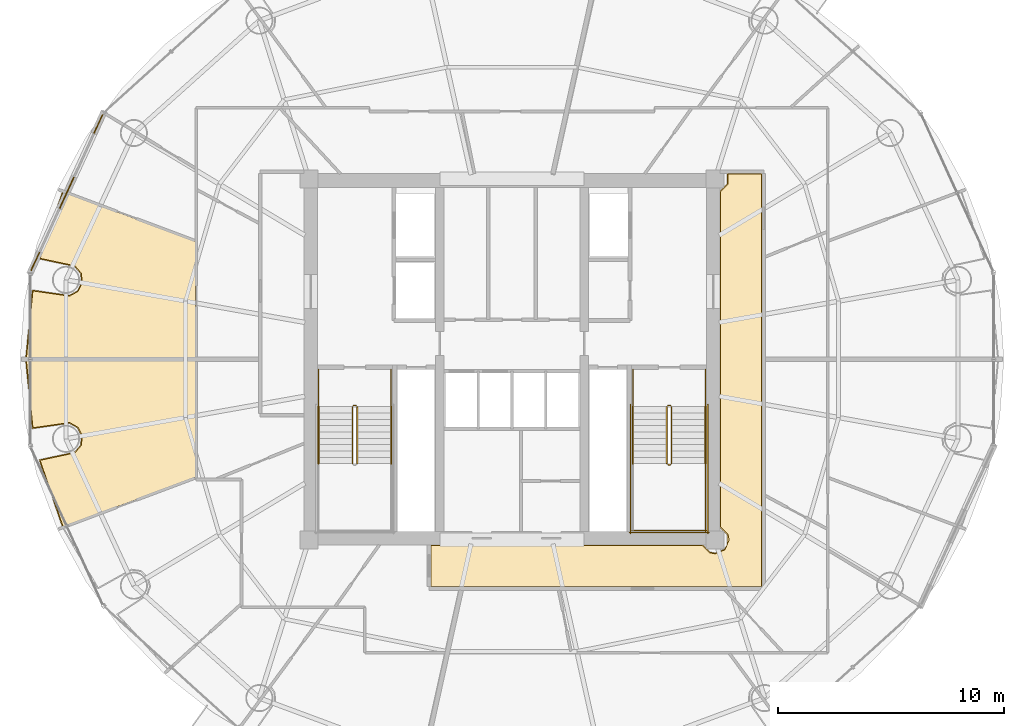
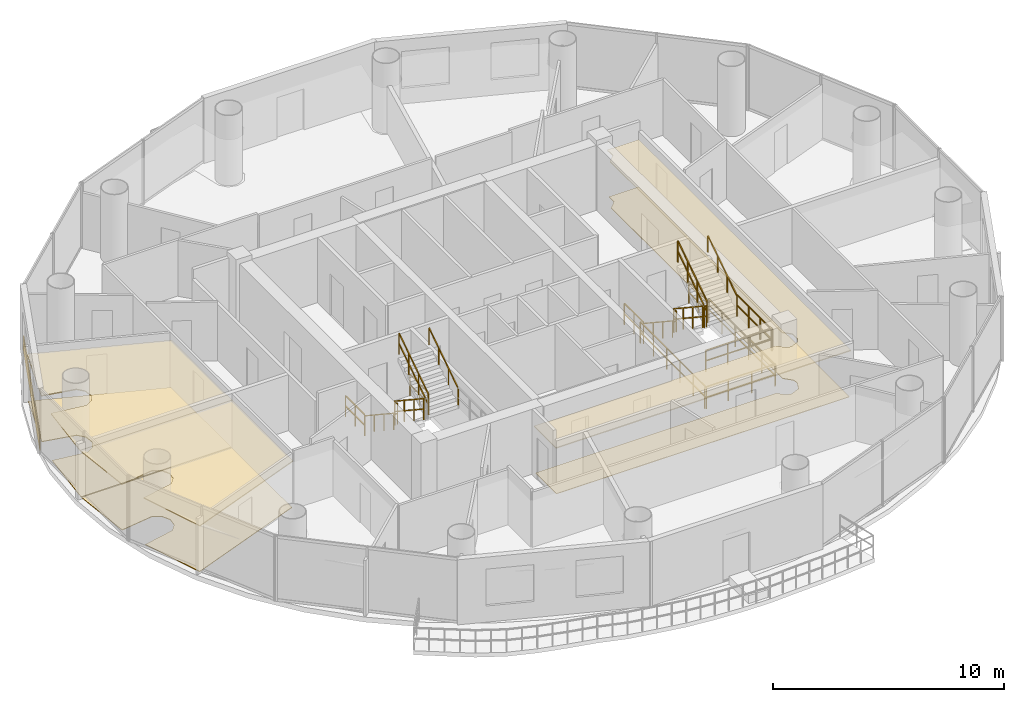
# One storey, part 25 of 26: 20 railings, 7 coverings.
"""IFC4 building model written with IfcOpenShell, lengths in metres."""

from ifc_helpers import new_model, si_unit, direction, frame, origin, origin_2d, place, context, subcontext, project, spatial, polyline, rectangle, outline, extrude, source, transform, mapped, material, layer, layer_set, type_object, element, save


model = new_model("IFC4")

# Units and contexts
model_context = context("Model", 3, precision=1e-05, world=origin(), true_north=direction((-0.2419218956, 0.970295726276)))
body_context = subcontext(model_context, "Body", "Model", "MODEL_VIEW")
ifc_project = project(units=[si_unit("LENGTHUNIT", "METRE"), si_unit("AREAUNIT", "SQUARE_METRE"), si_unit("VOLUMEUNIT", "CUBIC_METRE"), si_unit("PLANEANGLEUNIT", "RADIAN"), si_unit("MASSUNIT", "GRAM", prefix="KILO")], contexts=[model_context])

# Site, building, storey
site_placement = place(None, origin())
site = spatial("IfcSite", under=ifc_project, at=site_placement, CompositionType="ELEMENT")
building_placement = place(site_placement, origin())
building = spatial("IfcBuilding", under=site, at=building_placement, Name="Cobrevalo Terracotta Tower", CompositionType="ELEMENT")
storey_placement = place(building_placement, frame((0.0, 0.0, 213.39990234375)))
storey = spatial("IfcBuildingStorey", under=building, at=storey_placement, Name="L56", CompositionType="ELEMENT", Elevation=213.39990234375)

# Coverings
ifc_material_1 = material(Name="Engineered Brazilian hardwood flooring", Category="wood")
ifc_layer_1 = layer(ifc_material_1, 0.028076171875)
ifc_layer_set_1 = layer_set([ifc_layer_1], Name="Engineered Brazilian hardwood flooring")
covering_type_1 = type_object("IfcCoveringType", Name="Engineered Hardwood Suite Flooring 28", PredefinedType="FLOORING", material=ifc_layer_set_1)
covering_1_placement = place(storey_placement, origin())
element("IfcCovering", 1, at=covering_1_placement, inside=storey, type_object=covering_type_1, Name="Flat L56B Penthouse Family Lounge floor finish", PredefinedType="FLOORING", context=body_context, shape_type="SweptSolid", body=[
    extrude(outline(polyline([(23.985107421875, 32.024658203125), (23.985107421875, 26.820068359375), (16.4814453125, 26.820068359375), (16.7734375, 29.83056640625), (18.39599609375, 29.5986328125), (18.770751953125, 29.80859375), (18.9658203125, 30.191650390625), (18.9150390625, 30.6181640625), (18.635986328125, 30.94482421875), (17.09228515625, 31.277099609375), (18.114501953125, 34.221923828125), (23.985107421875, 32.024658203125)])), origin(), (0.0, 0.0, 1.0), 0.030029296875),
])
covering_2_placement = place(storey_placement, origin())
element("IfcCovering", 2, at=covering_2_placement, inside=storey, type_object=covering_type_1, Name="Flat L56C Living and Dining Room floor finish", PredefinedType="FLOORING", context=body_context, shape_type="SweptSolid", body=[
    extrude(outline(polyline([(18.114501953125, 19.3779296875), (17.09228515625, 22.322998046875), (18.635986328125, 22.655029296875), (18.9150390625, 22.981689453125), (18.9658203125, 23.408447265625), (18.770751953125, 23.791259765625), (18.39599609375, 24.00146484375), (16.7734375, 23.76953125), (16.4814453125, 26.780029296875), (23.985107421875, 26.780029296875), (23.985107421875, 21.575439453125), (18.114501953125, 19.3779296875)])), origin(), (0.0, 0.0, 1.0), 0.030029296875),
])
ifc_material_2 = material(Name="Honed terracotta and granite tile", Category="masonry")
ifc_layer_2 = layer(ifc_material_2, 0.034912109375)
ifc_layer_set_2 = layer_set([ifc_layer_2], Name="Honed terracotta and granite tile")
covering_type_2 = type_object("IfcCoveringType", Name="Honed Terracotta & Granite Interior Flooring 35", PredefinedType="FLOORING", material=ifc_layer_set_2)
covering_3_placement = place(storey_placement, origin())
element("IfcCovering", 3, at=covering_3_placement, inside=storey, type_object=covering_type_2, Name="L56 Residential Floor Corridor 1 floor finish", PredefinedType="FLOORING", context=body_context, shape_type="SweptSolid", body=[
    extrude(outline(polyline([(34.419921875, 18.554931640625), (46.431884765625, 18.554931640625), (46.7626953125, 18.226806640625), (47.0, 18.1796875), (47.438720703125, 18.361328125), (47.620361328125, 18.800048828125), (47.5732421875, 19.037353515625), (47.2451171875, 19.3681640625), (47.2451171875, 34.23193359375), (47.5732421875, 34.5625), (47.57958984375, 35.0048828125), (49.054931640625, 35.0048828125), (49.054931640625, 16.7451171875), (34.419921875, 16.7451171875), (34.419921875, 18.554931640625)])), origin(), (0.0, 0.0, 1.0), 0.030029296875),
])
ifc_material_3 = material(Name="Acoustic perforated gypsum ceiling", Category="gypsum")
ifc_layer_3 = layer(ifc_material_3, 0.050048828125)
ifc_layer_set_3 = layer_set([ifc_layer_3], Name="Acoustic perforated gypsum ceiling")
covering_type_3 = type_object("IfcCoveringType", Name="Perforated Acoustic Gypsum Ceiling 50", PredefinedType="CEILING", material=ifc_layer_set_3)
covering_4_placement = place(storey_placement, frame((0.0, 0.0, 2.445068359375)))
element("IfcCovering", 4, at=covering_4_placement, inside=storey, type_object=covering_type_3, Name="L56 Residential Floor Corridor 1 acoustic ceiling", PredefinedType="CEILING", context=body_context, shape_type="SweptSolid", body=[
    extrude(outline(polyline([(34.375, 18.60009765625), (46.4560546875, 18.60009765625), (46.780029296875, 18.269287109375), (47.0, 18.2255859375), (47.40625, 18.393798828125), (47.53076171875, 18.580078125), (47.53076171875, 19.019775390625), (47.199951171875, 19.343994140625), (47.199951171875, 34.255859375), (47.53076171875, 34.580078125), (47.524658203125, 35.050048828125), (49.10009765625, 35.050048828125), (49.10009765625, 16.699951171875), (34.375, 16.699951171875), (34.375, 18.60009765625)])), origin(), (0.0, 0.0, 1.0), 0.050048828125),
])
covering_5_placement = place(storey_placement, frame((0.0, 0.0, 2.445068359375)))
element("IfcCovering", 5, at=covering_5_placement, inside=storey, type_object=covering_type_3, Name="Flat L56B Penthouse Family Lounge acoustic ceiling", PredefinedType="CEILING", context=body_context, shape_type="SweptSolid", body=[
    extrude(outline(polyline([(24.030029296875, 32.055908203125), (24.030029296875, 26.77490234375), (16.43310546875, 26.77490234375), (16.73876953125, 29.88232421875), (18.386474609375, 29.642578125), (18.73828125, 29.83984375), (18.92138671875, 30.199462890625), (18.873779296875, 30.60009765625), (18.611572265625, 30.90673828125), (17.038330078125, 31.240966796875), (18.088134765625, 34.280029296875), (24.030029296875, 32.055908203125)])), origin(), (0.0, 0.0, 1.0), 0.050048828125),
])
covering_6_placement = place(storey_placement, frame((0.0, 0.0, 2.445068359375)))
element("IfcCovering", 6, at=covering_6_placement, inside=storey, type_object=covering_type_3, Name="Flat L56C Living and Dining Room acoustic ceiling", PredefinedType="CEILING", context=body_context, shape_type="SweptSolid", body=[
    extrude(outline(polyline([(18.088134765625, 19.320068359375), (17.038330078125, 22.359130859375), (18.611572265625, 22.693359375), (18.873779296875, 23.0), (18.92138671875, 23.400634765625), (18.73828125, 23.760009765625), (18.386474609375, 23.957275390625), (16.73876953125, 23.717529296875), (16.43310546875, 26.824951171875), (24.030029296875, 26.824951171875), (24.030029296875, 21.544189453125), (18.088134765625, 19.320068359375)])), origin(), (0.0, 0.0, 1.0), 0.050048828125),
])

# Railings
ifc_material_4 = material(Name="Brushed stainless steel", Category="steel")
railing_type_1 = type_object("IfcRailingType", Name="Stainless Steel Stair Handrail 900", PredefinedType="HANDRAIL", material=ifc_material_4)
railing_1_placement = place(storey_placement, frame((29.425048828125, 24.699951171875, 0.18505859375)))
element("IfcRailing", 7, at=railing_1_placement, inside=storey, type_object=railing_type_1, Name="L56 ST-1 stair handrail 1", PredefinedType="HANDRAIL", context=body_context, shape_type="SweptSolid", body=[
    extrude(rectangle(XDim=0.048095703125, YDim=0.048095703125, at=origin_2d()), frame((0.0, 0.0, 0.8759765625), z_axis=(0.0, -0.834331337432, 0.55126329406), x_axis=(1.0, 0.0, 0.0)), (0.0, 0.0, 1.0), 3.0205078125),
    extrude(rectangle(XDim=0.0419921875, YDim=0.0419921875, at=origin_2d()), origin(), (0.0, 0.0, 1.0), 0.851806640625),
    extrude(rectangle(XDim=0.0419921875, YDim=0.0419921875, at=origin_2d()), frame((0.0, -0.840087890625, 0.554931640625)), (0.0, 0.0, 1.0), 0.851806640625),
    extrude(rectangle(XDim=0.0419921875, YDim=0.0419921875, at=origin_2d()), frame((0.0, -1.679931640625, 1.110107421875)), (0.0, 0.0, 1.0), 0.851806640625),
    extrude(rectangle(XDim=0.0419921875, YDim=0.0419921875, at=origin_2d()), frame((0.0, -2.52001953125, 1.6650390625)), (0.0, 0.0, 1.0), 0.851806640625),
])
railing_2_placement = place(storey_placement, frame((32.64501953125, 22.179931640625, 2.03515625)))
element("IfcRailing", 8, at=railing_2_placement, inside=storey, type_object=railing_type_1, Name="L56 ST-1 stair handrail 2", PredefinedType="HANDRAIL", context=body_context, shape_type="SweptSolid", body=[
    extrude(rectangle(XDim=0.048095703125, YDim=0.048095703125, at=origin_2d()), frame((0.0, 0.0, 0.8759765625), z_axis=(0.0, 0.834331337432, 0.55126329406), x_axis=(-1.0, 0.0, 0.0)), (0.0, 0.0, 1.0), 3.0205078125),
    extrude(rectangle(XDim=0.0419921875, YDim=0.0419921875, at=origin_2d()), origin(), (0.0, 0.0, 1.0), 0.851806640625),
    extrude(rectangle(XDim=0.0419921875, YDim=0.0419921875, at=origin_2d()), frame((0.0, 0.840087890625, 0.554931640625)), (0.0, 0.0, 1.0), 0.851806640625),
    extrude(rectangle(XDim=0.0419921875, YDim=0.0419921875, at=origin_2d()), frame((0.0, 1.679931640625, 1.110107421875)), (0.0, 0.0, 1.0), 0.851806640625),
    extrude(rectangle(XDim=0.0419921875, YDim=0.0419921875, at=origin_2d()), frame((0.0, 2.52001953125, 1.6650390625)), (0.0, 0.0, 1.0), 0.851806640625),
])
railing_3_placement = place(storey_placement, frame((43.35498046875, 24.699951171875, 0.18505859375)))
element("IfcRailing", 9, at=railing_3_placement, inside=storey, type_object=railing_type_1, Name="L56 ST-2 stair handrail 1", PredefinedType="HANDRAIL", context=body_context, shape_type="SweptSolid", body=[
    extrude(rectangle(XDim=0.048095703125, YDim=0.048095703125, at=origin_2d()), frame((0.0, 0.0, 0.8759765625), z_axis=(0.0, -0.834331337432, 0.55126329406), x_axis=(1.0, 0.0, 0.0)), (0.0, 0.0, 1.0), 3.0205078125),
    extrude(rectangle(XDim=0.0419921875, YDim=0.0419921875, at=origin_2d()), origin(), (0.0, 0.0, 1.0), 0.851806640625),
    extrude(rectangle(XDim=0.0419921875, YDim=0.0419921875, at=origin_2d()), frame((0.0, -0.840087890625, 0.554931640625)), (0.0, 0.0, 1.0), 0.851806640625),
    extrude(rectangle(XDim=0.0419921875, YDim=0.0419921875, at=origin_2d()), frame((0.0, -1.679931640625, 1.110107421875)), (0.0, 0.0, 1.0), 0.851806640625),
    extrude(rectangle(XDim=0.0419921875, YDim=0.0419921875, at=origin_2d()), frame((0.0, -2.52001953125, 1.6650390625)), (0.0, 0.0, 1.0), 0.851806640625),
])
railing_4_placement = place(storey_placement, frame((46.574951171875, 22.179931640625, 2.03515625)))
element("IfcRailing", 10, at=railing_4_placement, inside=storey, type_object=railing_type_1, Name="L56 ST-2 stair handrail 2", PredefinedType="HANDRAIL", context=body_context, shape_type="SweptSolid", body=[
    extrude(rectangle(XDim=0.048095703125, YDim=0.048095703125, at=origin_2d()), frame((0.0, 0.0, 0.8759765625), z_axis=(0.0, 0.834331337432, 0.55126329406), x_axis=(-1.0, 0.0, 0.0)), (0.0, 0.0, 1.0), 3.0205078125),
    extrude(rectangle(XDim=0.0419921875, YDim=0.0419921875, at=origin_2d()), origin(), (0.0, 0.0, 1.0), 0.851806640625),
    extrude(rectangle(XDim=0.0419921875, YDim=0.0419921875, at=origin_2d()), frame((0.0, 0.840087890625, 0.554931640625)), (0.0, 0.0, 1.0), 0.851806640625),
    extrude(rectangle(XDim=0.0419921875, YDim=0.0419921875, at=origin_2d()), frame((0.0, 1.679931640625, 1.110107421875)), (0.0, 0.0, 1.0), 0.851806640625),
    extrude(rectangle(XDim=0.0419921875, YDim=0.0419921875, at=origin_2d()), frame((0.0, 2.52001953125, 1.6650390625)), (0.0, 0.0, 1.0), 0.851806640625),
])
ifc_material_5 = material(Name="Painted galvanized steel", Category="steel")
railing_type_2 = type_object("IfcRailingType", Name="Stair Well Guard Balustrade 1150", PredefinedType="GUARDRAIL", material=ifc_material_5)
railing_5_placement = place(storey_placement, frame((30.925048828125, 24.699951171875, 0.18505859375)))
element("IfcRailing", 11, at=railing_5_placement, inside=storey, type_object=railing_type_2, Name="L56 ST-1 stair guard 1", PredefinedType="GUARDRAIL", context=body_context, shape_type="SweptSolid", body=[
    extrude(rectangle(XDim=0.048095703125, YDim=0.048095703125, at=origin_2d()), frame((0.0, 0.0, 1.1259765625), z_axis=(0.0, -0.834331337432, 0.55126329406), x_axis=(1.0, 0.0, 0.0)), (0.0, 0.0, 1.0), 3.0205078125),
    extrude(rectangle(XDim=0.048095703125, YDim=0.048095703125, at=origin_2d()), frame((0.0, 0.0, 0.574951171875), z_axis=(0.0, -0.834331337432, 0.55126329406), x_axis=(1.0, 0.0, 0.0)), (0.0, 0.0, 1.0), 3.0205078125),
    extrude(rectangle(XDim=0.0419921875, YDim=0.0419921875, at=origin_2d()), origin(), (0.0, 0.0, 1.0), 1.101806640625),
    extrude(rectangle(XDim=0.0419921875, YDim=0.0419921875, at=origin_2d()), frame((0.0, -0.840087890625, 0.554931640625)), (0.0, 0.0, 1.0), 1.101806640625),
    extrude(rectangle(XDim=0.0419921875, YDim=0.0419921875, at=origin_2d()), frame((0.0, -1.679931640625, 1.110107421875)), (0.0, 0.0, 1.0), 1.101806640625),
    extrude(rectangle(XDim=0.0419921875, YDim=0.0419921875, at=origin_2d()), frame((0.0, -2.52001953125, 1.6650390625)), (0.0, 0.0, 1.0), 1.101806640625),
])
railing_6_placement = place(storey_placement, frame((31.14501953125, 22.179931640625, 2.03515625)))
element("IfcRailing", 12, at=railing_6_placement, inside=storey, type_object=railing_type_2, Name="L56 ST-1 stair guard 6", PredefinedType="GUARDRAIL", context=body_context, shape_type="SweptSolid", body=[
    extrude(rectangle(XDim=0.048095703125, YDim=0.048095703125, at=origin_2d()), frame((0.0, 0.0, 1.1259765625), z_axis=(0.0, 0.834331337432, 0.55126329406), x_axis=(-1.0, 0.0, 0.0)), (0.0, 0.0, 1.0), 3.0205078125),
    extrude(rectangle(XDim=0.048095703125, YDim=0.048095703125, at=origin_2d()), frame((0.0, 0.0, 0.574951171875), z_axis=(0.0, 0.834331337432, 0.55126329406), x_axis=(-1.0, 0.0, 0.0)), (0.0, 0.0, 1.0), 3.0205078125),
    extrude(rectangle(XDim=0.0419921875, YDim=0.0419921875, at=origin_2d()), origin(), (0.0, 0.0, 1.0), 1.101806640625),
    extrude(rectangle(XDim=0.0419921875, YDim=0.0419921875, at=origin_2d()), frame((0.0, 0.840087890625, 0.554931640625)), (0.0, 0.0, 1.0), 1.101806640625),
    extrude(rectangle(XDim=0.0419921875, YDim=0.0419921875, at=origin_2d()), frame((0.0, 1.679931640625, 1.110107421875)), (0.0, 0.0, 1.0), 1.101806640625),
    extrude(rectangle(XDim=0.0419921875, YDim=0.0419921875, at=origin_2d()), frame((0.0, 2.52001953125, 1.6650390625)), (0.0, 0.0, 1.0), 1.101806640625),
])
railing_7_placement = place(storey_placement, frame((30.97509765625, 24.75, 0.0)))
element("IfcRailing", 13, at=railing_7_placement, inside=storey, type_object=railing_type_2, Name="L56 ST-1 stair guard 7", PredefinedType="GUARDRAIL", context=body_context, shape_type="SweptSolid", body=[
    extrude(rectangle(XDim=0.048095703125, YDim=0.048095703125, at=origin_2d()), frame((0.0, 0.0, 1.1259765625), z_axis=(1.0, 0.0, 0.0), x_axis=(0.0, 1.0, 0.0)), (0.0, 0.0, 1.0), 0.119873046875),
    extrude(rectangle(XDim=0.048095703125, YDim=0.048095703125, at=origin_2d()), frame((0.0, 0.0, 0.574951171875), z_axis=(1.0, 0.0, 0.0), x_axis=(0.0, 1.0, 0.0)), (0.0, 0.0, 1.0), 0.119873046875),
    extrude(rectangle(XDim=0.0419921875, YDim=0.0419921875, at=origin_2d()), origin(), (0.0, 0.0, 1.0), 1.101806640625),
    extrude(rectangle(XDim=0.0419921875, YDim=0.0419921875, at=origin_2d()), frame((0.119873046875, 0.0, 0.0)), (0.0, 0.0, 1.0), 1.101806640625),
])
for number, where, name in (
    (14, (29.425048828125, 26.35009765625, 0.0), "L56 ST-1 stair guard 8"),
    (15, (32.64501953125, 26.35009765625, 0.0), "L56 ST-1 stair guard 9"),
):
    element("IfcRailing", number, at=place(storey_placement, frame(where)), inside=storey, type_object=railing_type_2, Name=name, PredefinedType="GUARDRAIL", context=body_context, shape_type="SweptSolid", body=[
        extrude(rectangle(XDim=0.048095703125, YDim=0.048095703125, at=origin_2d()), frame((0.0, 0.0, 1.1259765625), z_axis=(0.0, -1.0, 0.0), x_axis=(1.0, 0.0, 0.0)), (0.0, 0.0, 1.0), 1.650146484375),
        extrude(rectangle(XDim=0.048095703125, YDim=0.048095703125, at=origin_2d()), frame((0.0, 0.0, 0.574951171875), z_axis=(0.0, -1.0, 0.0), x_axis=(1.0, 0.0, 0.0)), (0.0, 0.0, 1.0), 1.650146484375),
        extrude(rectangle(XDim=0.0419921875, YDim=0.0419921875, at=origin_2d()), origin(), (0.0, 0.0, 1.0), 1.101806640625),
        extrude(rectangle(XDim=0.0419921875, YDim=0.0419921875, at=origin_2d()), frame((0.0, -0.8251953125, 0.0)), (0.0, 0.0, 1.0), 1.101806640625),
        extrude(rectangle(XDim=0.0419921875, YDim=0.0419921875, at=origin_2d()), frame((0.0, -1.650146484375, 0.0)), (0.0, 0.0, 1.0), 1.101806640625),
    ])
railing_8_placement = place(storey_placement, frame((44.85498046875, 24.699951171875, 0.18505859375)))
element("IfcRailing", 16, at=railing_8_placement, inside=storey, type_object=railing_type_2, Name="L56 ST-2 stair guard 1", PredefinedType="GUARDRAIL", context=body_context, shape_type="SweptSolid", body=[
    extrude(rectangle(XDim=0.048095703125, YDim=0.048095703125, at=origin_2d()), frame((0.0, 0.0, 1.1259765625), z_axis=(0.0, -0.834331337432, 0.55126329406), x_axis=(1.0, 0.0, 0.0)), (0.0, 0.0, 1.0), 3.0205078125),
    extrude(rectangle(XDim=0.048095703125, YDim=0.048095703125, at=origin_2d()), frame((0.0, 0.0, 0.574951171875), z_axis=(0.0, -0.834331337432, 0.55126329406), x_axis=(1.0, 0.0, 0.0)), (0.0, 0.0, 1.0), 3.0205078125),
    extrude(rectangle(XDim=0.0419921875, YDim=0.0419921875, at=origin_2d()), origin(), (0.0, 0.0, 1.0), 1.101806640625),
    extrude(rectangle(XDim=0.0419921875, YDim=0.0419921875, at=origin_2d()), frame((0.0, -0.840087890625, 0.554931640625)), (0.0, 0.0, 1.0), 1.101806640625),
    extrude(rectangle(XDim=0.0419921875, YDim=0.0419921875, at=origin_2d()), frame((0.0, -1.679931640625, 1.110107421875)), (0.0, 0.0, 1.0), 1.101806640625),
    extrude(rectangle(XDim=0.0419921875, YDim=0.0419921875, at=origin_2d()), frame((0.0, -2.52001953125, 1.6650390625)), (0.0, 0.0, 1.0), 1.101806640625),
])
railing_9_placement = place(storey_placement, frame((44.905029296875, 22.1298828125, 1.85009765625)))
element("IfcRailing", 17, at=railing_9_placement, inside=storey, type_object=railing_type_2, Name="L56 ST-2 stair guard 2", PredefinedType="GUARDRAIL", context=body_context, shape_type="SweptSolid", body=[
    extrude(rectangle(XDim=0.048095703125, YDim=0.048095703125, at=origin_2d()), frame((0.0, 0.0, 1.1259765625), z_axis=(1.0, 0.0, 0.0), x_axis=(0.0, 1.0, 0.0)), (0.0, 0.0, 1.0), 0.119873046875),
    extrude(rectangle(XDim=0.048095703125, YDim=0.048095703125, at=origin_2d()), frame((0.0, 0.0, 0.574951171875), z_axis=(1.0, 0.0, 0.0), x_axis=(0.0, 1.0, 0.0)), (0.0, 0.0, 1.0), 0.119873046875),
    extrude(rectangle(XDim=0.0419921875, YDim=0.0419921875, at=origin_2d()), origin(), (0.0, 0.0, 1.0), 1.101806640625),
    extrude(rectangle(XDim=0.0419921875, YDim=0.0419921875, at=origin_2d()), frame((0.119873046875, 0.0, 0.0)), (0.0, 0.0, 1.0), 1.101806640625),
])
railing_10_placement = place(storey_placement, frame((46.574951171875, 22.179931640625, 1.85009765625)))
element("IfcRailing", 18, at=railing_10_placement, inside=storey, type_object=railing_type_2, Name="L56 ST-2 stair guard 4", PredefinedType="GUARDRAIL", context=body_context, shape_type="SweptSolid", body=[
    extrude(rectangle(XDim=0.048095703125, YDim=0.048095703125, at=origin_2d()), frame((0.0, 0.0, 1.1259765625), z_axis=(0.0, -1.0, 0.0), x_axis=(1.0, 0.0, 0.0)), (0.0, 0.0, 1.0), 3.0048828125),
    extrude(rectangle(XDim=0.048095703125, YDim=0.048095703125, at=origin_2d()), frame((0.0, 0.0, 0.574951171875), z_axis=(0.0, -1.0, 0.0), x_axis=(1.0, 0.0, 0.0)), (0.0, 0.0, 1.0), 3.0048828125),
    extrude(rectangle(XDim=0.0419921875, YDim=0.0419921875, at=origin_2d()), origin(), (0.0, 0.0, 1.0), 1.101806640625),
    extrude(rectangle(XDim=0.0419921875, YDim=0.0419921875, at=origin_2d()), frame((0.0, -1.001708984375, 0.0)), (0.0, 0.0, 1.0), 1.101806640625),
    extrude(rectangle(XDim=0.0419921875, YDim=0.0419921875, at=origin_2d()), frame((0.0, -2.003173828125, 0.0)), (0.0, 0.0, 1.0), 1.101806640625),
    extrude(rectangle(XDim=0.0419921875, YDim=0.0419921875, at=origin_2d()), frame((0.0, -3.0048828125, 0.0)), (0.0, 0.0, 1.0), 1.101806640625),
])
railing_11_placement = place(storey_placement, frame((43.304931640625, 19.22509765625, 1.85009765625)))
element("IfcRailing", 19, at=railing_11_placement, inside=storey, type_object=railing_type_2, Name="L56 ST-2 stair guard 5", PredefinedType="GUARDRAIL", context=body_context, shape_type="SweptSolid", body=[
    extrude(rectangle(XDim=0.048095703125, YDim=0.048095703125, at=origin_2d()), frame((0.0, 0.0, 1.1259765625), z_axis=(1.0, 0.0, 0.0), x_axis=(0.0, 1.0, 0.0)), (0.0, 0.0, 1.0), 3.320068359375),
    extrude(rectangle(XDim=0.048095703125, YDim=0.048095703125, at=origin_2d()), frame((0.0, 0.0, 0.574951171875), z_axis=(1.0, 0.0, 0.0), x_axis=(0.0, 1.0, 0.0)), (0.0, 0.0, 1.0), 3.320068359375),
    extrude(rectangle(XDim=0.0419921875, YDim=0.0419921875, at=origin_2d()), origin(), (0.0, 0.0, 1.0), 1.101806640625),
    extrude(rectangle(XDim=0.0419921875, YDim=0.0419921875, at=origin_2d()), frame((1.106689453125, 0.0, 0.0)), (0.0, 0.0, 1.0), 1.101806640625),
    extrude(rectangle(XDim=0.0419921875, YDim=0.0419921875, at=origin_2d()), frame((2.21337890625, 0.0, 0.0)), (0.0, 0.0, 1.0), 1.101806640625),
    extrude(rectangle(XDim=0.0419921875, YDim=0.0419921875, at=origin_2d()), frame((3.320068359375, 0.0, 0.0)), (0.0, 0.0, 1.0), 1.101806640625),
])
railing_12_placement = place(storey_placement, frame((45.074951171875, 22.179931640625, 2.03515625)))
element("IfcRailing", 20, at=railing_12_placement, inside=storey, type_object=railing_type_2, Name="L56 ST-2 stair guard 6", PredefinedType="GUARDRAIL", context=body_context, shape_type="SweptSolid", body=[
    extrude(rectangle(XDim=0.048095703125, YDim=0.048095703125, at=origin_2d()), frame((0.0, 0.0, 1.1259765625), z_axis=(0.0, 0.834331337432, 0.55126329406), x_axis=(-1.0, 0.0, 0.0)), (0.0, 0.0, 1.0), 3.0205078125),
    extrude(rectangle(XDim=0.048095703125, YDim=0.048095703125, at=origin_2d()), frame((0.0, 0.0, 0.574951171875), z_axis=(0.0, 0.834331337432, 0.55126329406), x_axis=(-1.0, 0.0, 0.0)), (0.0, 0.0, 1.0), 3.0205078125),
    extrude(rectangle(XDim=0.0419921875, YDim=0.0419921875, at=origin_2d()), origin(), (0.0, 0.0, 1.0), 1.101806640625),
    extrude(rectangle(XDim=0.0419921875, YDim=0.0419921875, at=origin_2d()), frame((0.0, 0.840087890625, 0.554931640625)), (0.0, 0.0, 1.0), 1.101806640625),
    extrude(rectangle(XDim=0.0419921875, YDim=0.0419921875, at=origin_2d()), frame((0.0, 1.679931640625, 1.110107421875)), (0.0, 0.0, 1.0), 1.101806640625),
    extrude(rectangle(XDim=0.0419921875, YDim=0.0419921875, at=origin_2d()), frame((0.0, 2.52001953125, 1.6650390625)), (0.0, 0.0, 1.0), 1.101806640625),
])
railing_13_placement = place(storey_placement, frame((44.905029296875, 24.75, 0.0)))
element("IfcRailing", 21, at=railing_13_placement, inside=storey, type_object=railing_type_2, Name="L56 ST-2 stair guard 7", PredefinedType="GUARDRAIL", context=body_context, shape_type="SweptSolid", body=[
    extrude(rectangle(XDim=0.048095703125, YDim=0.048095703125, at=origin_2d()), frame((0.0, 0.0, 1.1259765625), z_axis=(1.0, 0.0, 0.0), x_axis=(0.0, 1.0, 0.0)), (0.0, 0.0, 1.0), 0.119873046875),
    extrude(rectangle(XDim=0.048095703125, YDim=0.048095703125, at=origin_2d()), frame((0.0, 0.0, 0.574951171875), z_axis=(1.0, 0.0, 0.0), x_axis=(0.0, 1.0, 0.0)), (0.0, 0.0, 1.0), 0.119873046875),
    extrude(rectangle(XDim=0.0419921875, YDim=0.0419921875, at=origin_2d()), origin(), (0.0, 0.0, 1.0), 1.101806640625),
    extrude(rectangle(XDim=0.0419921875, YDim=0.0419921875, at=origin_2d()), frame((0.119873046875, 0.0, 0.0)), (0.0, 0.0, 1.0), 1.101806640625),
])
for number, where, name in (
    (22, (43.35498046875, 26.35009765625, 0.0), "L56 ST-2 stair guard 8"),
    (23, (46.574951171875, 26.35009765625, 0.0), "L56 ST-2 stair guard 9"),
):
    element("IfcRailing", number, at=place(storey_placement, frame(where)), inside=storey, type_object=railing_type_2, Name=name, PredefinedType="GUARDRAIL", context=body_context, shape_type="SweptSolid", body=[
        extrude(rectangle(XDim=0.048095703125, YDim=0.048095703125, at=origin_2d()), frame((0.0, 0.0, 1.1259765625), z_axis=(0.0, -1.0, 0.0), x_axis=(1.0, 0.0, 0.0)), (0.0, 0.0, 1.0), 1.650146484375),
        extrude(rectangle(XDim=0.048095703125, YDim=0.048095703125, at=origin_2d()), frame((0.0, 0.0, 0.574951171875), z_axis=(0.0, -1.0, 0.0), x_axis=(1.0, 0.0, 0.0)), (0.0, 0.0, 1.0), 1.650146484375),
        extrude(rectangle(XDim=0.0419921875, YDim=0.0419921875, at=origin_2d()), origin(), (0.0, 0.0, 1.0), 1.101806640625),
        extrude(rectangle(XDim=0.0419921875, YDim=0.0419921875, at=origin_2d()), frame((0.0, -0.8251953125, 0.0)), (0.0, 0.0, 1.0), 1.101806640625),
        extrude(rectangle(XDim=0.0419921875, YDim=0.0419921875, at=origin_2d()), frame((0.0, -1.650146484375, 0.0)), (0.0, 0.0, 1.0), 1.101806640625),
    ])
for number, where, name in (
    (24, (43.2548828125, 24.800048828125, 0.0), "L56 ST-2 stair guard 10"),
    (25, (46.675048828125, 24.800048828125, 0.0), "L56 ST-2 stair guard 11"),
):
    element("IfcRailing", number, at=place(storey_placement, frame(where)), inside=storey, type_object=railing_type_2, Name=name, PredefinedType="GUARDRAIL", context=body_context, shape_type="SweptSolid", body=[
        extrude(rectangle(XDim=0.048095703125, YDim=0.048095703125, at=origin_2d()), frame((0.0, 0.0, 1.1259765625), z_axis=(0.0, -1.0, 0.0), x_axis=(1.0, 0.0, 0.0)), (0.0, 0.0, 1.0), 5.72509765625),
        extrude(rectangle(XDim=0.048095703125, YDim=0.048095703125, at=origin_2d()), frame((0.0, 0.0, 0.574951171875), z_axis=(0.0, -1.0, 0.0), x_axis=(1.0, 0.0, 0.0)), (0.0, 0.0, 1.0), 5.72509765625),
        extrude(rectangle(XDim=0.0419921875, YDim=0.0419921875, at=origin_2d()), origin(), (0.0, 0.0, 1.0), 1.101806640625),
        extrude(rectangle(XDim=0.0419921875, YDim=0.0419921875, at=origin_2d()), frame((0.0, -1.14501953125, 0.0)), (0.0, 0.0, 1.0), 1.101806640625),
        extrude(rectangle(XDim=0.0419921875, YDim=0.0419921875, at=origin_2d()), frame((0.0, -2.2900390625, 0.0)), (0.0, 0.0, 1.0), 1.101806640625),
        extrude(rectangle(XDim=0.0419921875, YDim=0.0419921875, at=origin_2d()), frame((0.0, -3.43505859375, 0.0)), (0.0, 0.0, 1.0), 1.101806640625),
        extrude(rectangle(XDim=0.0419921875, YDim=0.0419921875, at=origin_2d()), frame((0.0, -4.580078125, 0.0)), (0.0, 0.0, 1.0), 1.101806640625),
        extrude(rectangle(XDim=0.0419921875, YDim=0.0419921875, at=origin_2d()), frame((0.0, -5.72509765625, 0.0)), (0.0, 0.0, 1.0), 1.101806640625),
    ])
railing_14_placement = place(storey_placement, frame((43.205078125, 19.125, 0.0)))
element("IfcRailing", 26, at=railing_14_placement, inside=storey, type_object=railing_type_2, Name="L56 ST-2 stair guard 12", PredefinedType="GUARDRAIL", context=body_context, shape_type="SweptSolid", body=[
    extrude(rectangle(XDim=0.048095703125, YDim=0.048095703125, at=origin_2d()), frame((0.0, 0.0, 1.1259765625), z_axis=(1.0, 0.0, 0.0), x_axis=(0.0, 1.0, 0.0)), (0.0, 0.0, 1.0), 3.52001953125),
    extrude(rectangle(XDim=0.048095703125, YDim=0.048095703125, at=origin_2d()), frame((0.0, 0.0, 0.574951171875), z_axis=(1.0, 0.0, 0.0), x_axis=(0.0, 1.0, 0.0)), (0.0, 0.0, 1.0), 3.52001953125),
    extrude(rectangle(XDim=0.0419921875, YDim=0.0419921875, at=origin_2d()), origin(), (0.0, 0.0, 1.0), 1.101806640625),
    extrude(rectangle(XDim=0.0419921875, YDim=0.0419921875, at=origin_2d()), frame((1.17333984375, 0.0, 0.0)), (0.0, 0.0, 1.0), 1.101806640625),
    extrude(rectangle(XDim=0.0419921875, YDim=0.0419921875, at=origin_2d()), frame((2.3466796875, 0.0, 0.0)), (0.0, 0.0, 1.0), 1.101806640625),
    extrude(rectangle(XDim=0.0419921875, YDim=0.0419921875, at=origin_2d()), frame((3.52001953125, 0.0, 0.0)), (0.0, 0.0, 1.0), 1.101806640625),
])

# Covering
ifc_material_6 = material(Name="Glazed terracotta facade cladding tile", Category="masonry")
ifc_layer_4 = layer(ifc_material_6, 0.044921875)
ifc_layer_set_4 = layer_set([ifc_layer_4], Name="Glazed terracotta facade cladding tile")
covering_type_4 = type_object("IfcCoveringType", Name="Architectural terracotta rainscreen spandrel cladding 45 mm", PredefinedType="CLADDING", material=ifc_layer_set_4)
shared_shape = source(origin(), body_context, "Body", "SweptSolid", [
    extrude(rectangle(XDim=7.60009765625, YDim=0.044921875, at=origin_2d()), origin(), (0.0, 0.0, 1.0), 0.760009765625),
])
covering_7_placement = place(storey_placement, frame((18.273681640625, 34.182861328125, 0.0400390625), z_axis=(0.0, 0.0, 1.0), x_axis=(-0.416731425355, -0.909029657999, 0.0)))
element("IfcCovering", 27, at=covering_7_placement, inside=storey, type_object=covering_type_4, Name="L56 terracotta spandrel cladding S07", PredefinedType="CLADDING", context=body_context, shape_type="MappedRepresentation", body=[
    mapped(shared_shape, transform((0.0, 0.0, 0.0), scale=1.0)),
])

save(model, "model.ifc")
